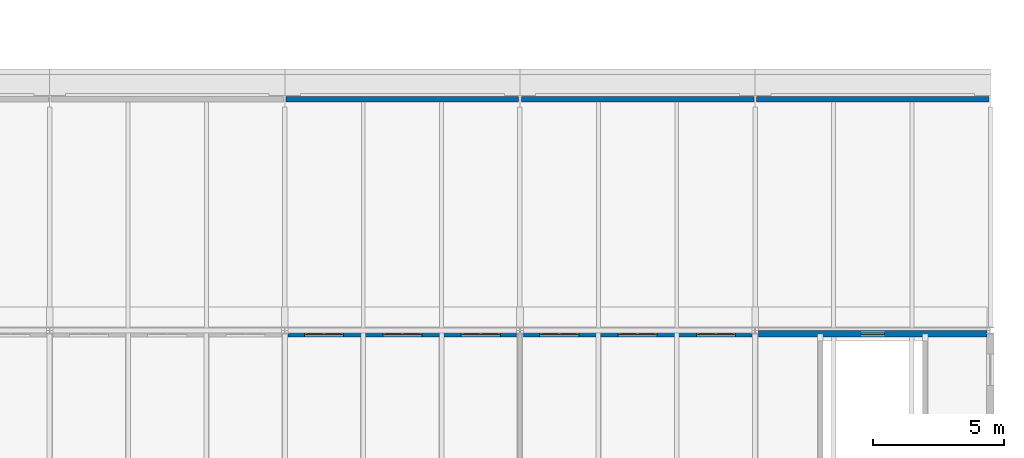
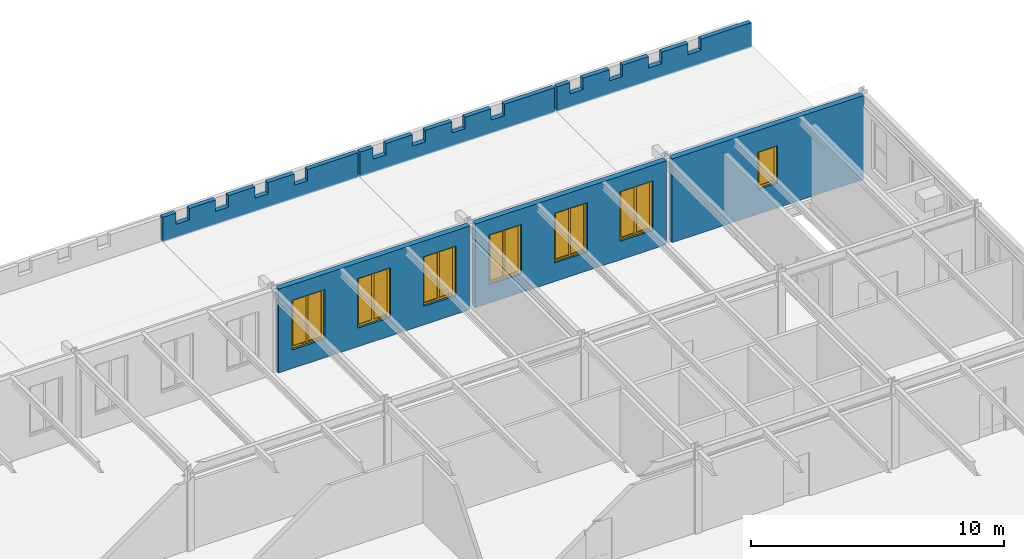
# One storey, part 85 of 123: 7 windows, 6 walls, 7 openings.
"""IFC4 building model written with IfcOpenShell, lengths in metres."""

from ifc_helpers import new_model, si_unit, direction, frame, frame_2d, origin, place, context, subcontext, project, spatial, polyline, rectangle, outline, extrude, material, layer, layer_set, type_object, element, fill, save


model = new_model("IFC4")

# Units and contexts
model_context = context("Model", 3, precision=1e-05, world=origin(), true_north=direction((0.0, 1.0)))
body_context = subcontext(model_context, "Body", "Model", "MODEL_VIEW")
ifc_project = project(units=[si_unit("LENGTHUNIT", "METRE"), si_unit("AREAUNIT", "SQUARE_METRE"), si_unit("VOLUMEUNIT", "CUBIC_METRE"), si_unit("PLANEANGLEUNIT", "RADIAN"), si_unit("MASSUNIT", "GRAM", prefix="KILO")], contexts=[model_context])

# Site, building, storey
site_placement = place(None, origin())
site = spatial("IfcSite", under=ifc_project, at=site_placement, CompositionType="ELEMENT")
building_placement = place(site_placement, origin())
building = spatial("IfcBuilding", under=site, at=building_placement, Name="Baradari Gate Terminus", CompositionType="ELEMENT")
storey_placement = place(building_placement, frame((0.0, 0.0, 7.5)))
storey = spatial("IfcBuildingStorey", under=building, at=storey_placement, Name="L01", CompositionType="ELEMENT", Elevation=7.5)

# Wall, openings, windows
ifc_material_1 = material(Name="Laterite masonry", Category="masonry")
ifc_layer_1 = layer(ifc_material_1, 0.25)
ifc_layer_set_1 = layer_set([ifc_layer_1], Name="Laterite masonry")
wall_type_1 = type_object("IfcWallType", Name="Laterite masonry wall WP-1 250", PredefinedType="SOLIDWALL", material=ifc_layer_set_1)
wall_1_placement = place(storey_placement, frame((216.128173828125, 107.87841796875, 0.0), z_axis=(0.0, 0.0, 1.0), x_axis=(1.0, 0.0, 0.0)))
wall_1 = element("IfcWall", 1, at=wall_1_placement, inside=storey, type_object=wall_type_1, Name="arcade gallery wall HN bay 25 L01", PredefinedType="SOLIDWALL", context=body_context, shape_type="SweptSolid", body=[
    extrude(rectangle(XDim=8.74365234375, YDim=0.25, at=frame_2d((4.371826171875, 0.0))), origin(), (0.0, 0.0, 1.0), 4.050048828125),
])
opening_1_placement = place(wall_1_placement, frame((0.621826171875, 0.0, 0.89990234375)))
opening_1 = element("IfcOpeningElement", 2, at=opening_1_placement, cuts=wall_1, Name="Opening W1", PredefinedType="OPENING", context=body_context, shape_type="SweptSolid", body=[
    extrude(rectangle(XDim=1.5, YDim=2.39990234375, at=frame_2d((0.75, 1.199951171875))), frame((0.0, 0.135009765625, 0.0), z_axis=(0.0, -1.0, 0.0), x_axis=(1.0, 0.0, 0.0)), (0.0, 0.0, 1.0), 0.27001953125),
])
opening_2_placement = place(wall_1_placement, frame((3.621826171875, 0.0, 0.89990234375)))
opening_2 = element("IfcOpeningElement", 3, at=opening_2_placement, cuts=wall_1, Name="Opening W1", PredefinedType="OPENING", context=body_context, shape_type="SweptSolid", body=[
    extrude(rectangle(XDim=1.5, YDim=2.39990234375, at=frame_2d((0.75, 1.199951171875))), frame((0.0, 0.135009765625, 0.0), z_axis=(0.0, -1.0, 0.0), x_axis=(1.0, 0.0, 0.0)), (0.0, 0.0, 1.0), 0.27001953125),
])
opening_3_placement = place(wall_1_placement, frame((6.621826171875, 0.0, 0.89990234375)))
opening_3 = element("IfcOpeningElement", 4, at=opening_3_placement, cuts=wall_1, Name="Opening W1", PredefinedType="OPENING", context=body_context, shape_type="SweptSolid", body=[
    extrude(rectangle(XDim=1.5, YDim=2.39990234375, at=frame_2d((0.75, 1.199951171875))), frame((0.0, 0.135009765625, 0.0), z_axis=(0.0, -1.0, 0.0), x_axis=(1.0, 0.0, 0.0)), (0.0, 0.0, 1.0), 0.27001953125),
])
ifc_material_2 = material(Name="Aluminium 6063-T6", Category="aluminium")
window_type_1 = type_object("IfcWindowType", Name="Punched window, 2-light W1 1500x2400", PartitioningType="DOUBLE_PANEL_VERTICAL", PredefinedType="WINDOW", material=ifc_material_2)
window_1_placement = place(opening_1_placement, origin())
window_1 = element("IfcWindow", 5, at=window_1_placement, inside=storey, type_object=window_type_1, Name="Window W1 HN/24", OverallHeight=2.4, OverallWidth=1.5, PartitioningType="DOUBLE_PANEL_VERTICAL", PredefinedType="WINDOW", context=body_context, shape_type="SweptSolid", body=[
    extrude(outline(polyline([(0.0, 0.0), (1.5, 0.0), (1.5, 2.39990234375), (0.0, 2.39990234375), (0.0, 0.0)]), holes=[polyline([(0.070068359375, 0.070068359375), (1.429931640625, 0.070068359375), (1.429931640625, 2.329833984375), (0.070068359375, 2.329833984375), (0.070068359375, 0.070068359375)])]), frame((0.0, 0.030029296875, 0.0), z_axis=(0.0, -1.0, 0.0), x_axis=(1.0, 0.0, 0.0)), (0.0, 0.0, 1.0), 0.06005859375),
    extrude(rectangle(XDim=0.0400390625, YDim=2.259765625, at=frame_2d((0.75, 1.199951171875))), frame((0.0, 0.02197265625, 0.0), z_axis=(0.0, -1.0, 0.0), x_axis=(1.0, 0.0, 0.0)), (0.0, 0.0, 1.0), 0.0439453125),
    extrude(outline(polyline([(0.070068359375, 0.070068359375), (0.72998046875, 0.070068359375), (0.72998046875, 2.329833984375), (0.070068359375, 2.329833984375), (0.070068359375, 0.070068359375)]), holes=[polyline([(0.10009765625, 0.10009765625), (0.699951171875, 0.10009765625), (0.699951171875, 2.2998046875), (0.10009765625, 2.2998046875), (0.10009765625, 0.10009765625)])]), frame((0.0, 0.0224609375, 0.0), z_axis=(0.0, -1.0, 0.0), x_axis=(1.0, 0.0, 0.0)), (0.0, 0.0, 1.0), 0.044921875),
    extrude(rectangle(XDim=0.599853515625, YDim=2.19970703125, at=frame_2d((0.39990234375, 1.199951171875))), frame((0.0, 0.006103515625, 0.0), z_axis=(0.0, -1.0, 0.0), x_axis=(1.0, 0.0, 0.0)), (0.0, 0.0, 1.0), 0.01220703125),
    extrude(outline(polyline([(0.77001953125, 0.070068359375), (1.429931640625, 0.070068359375), (1.429931640625, 2.329833984375), (0.77001953125, 2.329833984375), (0.77001953125, 0.070068359375)]), holes=[polyline([(0.800048828125, 0.10009765625), (1.39990234375, 0.10009765625), (1.39990234375, 2.2998046875), (0.800048828125, 2.2998046875), (0.800048828125, 0.10009765625)])]), frame((0.0, 0.0224609375, 0.0), z_axis=(0.0, -1.0, 0.0), x_axis=(1.0, 0.0, 0.0)), (0.0, 0.0, 1.0), 0.044921875),
    extrude(rectangle(XDim=0.599853515625, YDim=2.19970703125, at=frame_2d((1.10009765625, 1.199951171875))), frame((0.0, 0.006103515625, 0.0), z_axis=(0.0, -1.0, 0.0), x_axis=(1.0, 0.0, 0.0)), (0.0, 0.0, 1.0), 0.01220703125),
])
fill(opening_1, window_1)
window_2_placement = place(opening_2_placement, origin())
window_2 = element("IfcWindow", 6, at=window_2_placement, inside=storey, type_object=window_type_1, Name="Window W1 HN/24", OverallHeight=2.4, OverallWidth=1.5, PartitioningType="DOUBLE_PANEL_VERTICAL", PredefinedType="WINDOW", context=body_context, shape_type="SweptSolid", body=[
    extrude(outline(polyline([(0.0, 0.0), (1.5, 0.0), (1.5, 2.39990234375), (0.0, 2.39990234375), (0.0, 0.0)]), holes=[polyline([(0.070068359375, 0.070068359375), (1.429931640625, 0.070068359375), (1.429931640625, 2.329833984375), (0.070068359375, 2.329833984375), (0.070068359375, 0.070068359375)])]), frame((0.0, 0.030029296875, 0.0), z_axis=(0.0, -1.0, 0.0), x_axis=(1.0, 0.0, 0.0)), (0.0, 0.0, 1.0), 0.06005859375),
    extrude(rectangle(XDim=0.0400390625, YDim=2.259765625, at=frame_2d((0.75, 1.199951171875))), frame((0.0, 0.02197265625, 0.0), z_axis=(0.0, -1.0, 0.0), x_axis=(1.0, 0.0, 0.0)), (0.0, 0.0, 1.0), 0.0439453125),
    extrude(outline(polyline([(0.070068359375, 0.070068359375), (0.72998046875, 0.070068359375), (0.72998046875, 2.329833984375), (0.070068359375, 2.329833984375), (0.070068359375, 0.070068359375)]), holes=[polyline([(0.10009765625, 0.10009765625), (0.699951171875, 0.10009765625), (0.699951171875, 2.2998046875), (0.10009765625, 2.2998046875), (0.10009765625, 0.10009765625)])]), frame((0.0, 0.0224609375, 0.0), z_axis=(0.0, -1.0, 0.0), x_axis=(1.0, 0.0, 0.0)), (0.0, 0.0, 1.0), 0.044921875),
    extrude(rectangle(XDim=0.599853515625, YDim=2.19970703125, at=frame_2d((0.39990234375, 1.199951171875))), frame((0.0, 0.006103515625, 0.0), z_axis=(0.0, -1.0, 0.0), x_axis=(1.0, 0.0, 0.0)), (0.0, 0.0, 1.0), 0.01220703125),
    extrude(outline(polyline([(0.77001953125, 0.070068359375), (1.429931640625, 0.070068359375), (1.429931640625, 2.329833984375), (0.77001953125, 2.329833984375), (0.77001953125, 0.070068359375)]), holes=[polyline([(0.800048828125, 0.10009765625), (1.39990234375, 0.10009765625), (1.39990234375, 2.2998046875), (0.800048828125, 2.2998046875), (0.800048828125, 0.10009765625)])]), frame((0.0, 0.0224609375, 0.0), z_axis=(0.0, -1.0, 0.0), x_axis=(1.0, 0.0, 0.0)), (0.0, 0.0, 1.0), 0.044921875),
    extrude(rectangle(XDim=0.599853515625, YDim=2.19970703125, at=frame_2d((1.10009765625, 1.199951171875))), frame((0.0, 0.006103515625, 0.0), z_axis=(0.0, -1.0, 0.0), x_axis=(1.0, 0.0, 0.0)), (0.0, 0.0, 1.0), 0.01220703125),
])
fill(opening_2, window_2)
window_3_placement = place(opening_3_placement, origin())
window_3 = element("IfcWindow", 7, at=window_3_placement, inside=storey, type_object=window_type_1, Name="Window W1 HN/24", OverallHeight=2.4, OverallWidth=1.5, PartitioningType="DOUBLE_PANEL_VERTICAL", PredefinedType="WINDOW", context=body_context, shape_type="SweptSolid", body=[
    extrude(outline(polyline([(0.0, 0.0), (1.5, 0.0), (1.5, 2.39990234375), (0.0, 2.39990234375), (0.0, 0.0)]), holes=[polyline([(0.070068359375, 0.070068359375), (1.429931640625, 0.070068359375), (1.429931640625, 2.329833984375), (0.070068359375, 2.329833984375), (0.070068359375, 0.070068359375)])]), frame((0.0, 0.030029296875, 0.0), z_axis=(0.0, -1.0, 0.0), x_axis=(1.0, 0.0, 0.0)), (0.0, 0.0, 1.0), 0.06005859375),
    extrude(rectangle(XDim=0.0400390625, YDim=2.259765625, at=frame_2d((0.75, 1.199951171875))), frame((0.0, 0.02197265625, 0.0), z_axis=(0.0, -1.0, 0.0), x_axis=(1.0, 0.0, 0.0)), (0.0, 0.0, 1.0), 0.0439453125),
    extrude(outline(polyline([(0.070068359375, 0.070068359375), (0.72998046875, 0.070068359375), (0.72998046875, 2.329833984375), (0.070068359375, 2.329833984375), (0.070068359375, 0.070068359375)]), holes=[polyline([(0.10009765625, 0.10009765625), (0.699951171875, 0.10009765625), (0.699951171875, 2.2998046875), (0.10009765625, 2.2998046875), (0.10009765625, 0.10009765625)])]), frame((0.0, 0.0224609375, 0.0), z_axis=(0.0, -1.0, 0.0), x_axis=(1.0, 0.0, 0.0)), (0.0, 0.0, 1.0), 0.044921875),
    extrude(rectangle(XDim=0.599853515625, YDim=2.19970703125, at=frame_2d((0.39990234375, 1.199951171875))), frame((0.0, 0.006103515625, 0.0), z_axis=(0.0, -1.0, 0.0), x_axis=(1.0, 0.0, 0.0)), (0.0, 0.0, 1.0), 0.01220703125),
    extrude(outline(polyline([(0.77001953125, 0.070068359375), (1.429931640625, 0.070068359375), (1.429931640625, 2.329833984375), (0.77001953125, 2.329833984375), (0.77001953125, 0.070068359375)]), holes=[polyline([(0.800048828125, 0.10009765625), (1.39990234375, 0.10009765625), (1.39990234375, 2.2998046875), (0.800048828125, 2.2998046875), (0.800048828125, 0.10009765625)])]), frame((0.0, 0.0224609375, 0.0), z_axis=(0.0, -1.0, 0.0), x_axis=(1.0, 0.0, 0.0)), (0.0, 0.0, 1.0), 0.044921875),
    extrude(rectangle(XDim=0.599853515625, YDim=2.19970703125, at=frame_2d((1.10009765625, 1.199951171875))), frame((0.0, 0.006103515625, 0.0), z_axis=(0.0, -1.0, 0.0), x_axis=(1.0, 0.0, 0.0)), (0.0, 0.0, 1.0), 0.01220703125),
])
fill(opening_3, window_3)

wall_2_placement = place(storey_placement, frame((225.128173828125, 107.87841796875, 0.0), z_axis=(0.0, 0.0, 1.0), x_axis=(1.0, 0.0, 0.0)))
wall_2 = element("IfcWall", 8, at=wall_2_placement, inside=storey, type_object=wall_type_1, Name="arcade gallery wall HN bay 26 L01", PredefinedType="SOLIDWALL", context=body_context, shape_type="SweptSolid", body=[
    extrude(rectangle(XDim=8.74365234375, YDim=0.25, at=frame_2d((4.371826171875, 0.0))), origin(), (0.0, 0.0, 1.0), 4.050048828125),
])
opening_4_placement = place(wall_2_placement, frame((0.621826171875, 0.0, 0.89990234375)))
opening_4 = element("IfcOpeningElement", 9, at=opening_4_placement, cuts=wall_2, Name="Opening W1", PredefinedType="OPENING", context=body_context, shape_type="SweptSolid", body=[
    extrude(rectangle(XDim=1.5, YDim=2.39990234375, at=frame_2d((0.75, 1.199951171875))), frame((0.0, 0.135009765625, 0.0), z_axis=(0.0, -1.0, 0.0), x_axis=(1.0, 0.0, 0.0)), (0.0, 0.0, 1.0), 0.27001953125),
])
opening_5_placement = place(wall_2_placement, frame((3.621826171875, 0.0, 0.89990234375)))
opening_5 = element("IfcOpeningElement", 10, at=opening_5_placement, cuts=wall_2, Name="Opening W1", PredefinedType="OPENING", context=body_context, shape_type="SweptSolid", body=[
    extrude(rectangle(XDim=1.5, YDim=2.39990234375, at=frame_2d((0.75, 1.199951171875))), frame((0.0, 0.135009765625, 0.0), z_axis=(0.0, -1.0, 0.0), x_axis=(1.0, 0.0, 0.0)), (0.0, 0.0, 1.0), 0.27001953125),
])
opening_6_placement = place(wall_2_placement, frame((6.621826171875, 0.0, 0.89990234375)))
opening_6 = element("IfcOpeningElement", 11, at=opening_6_placement, cuts=wall_2, Name="Opening W1", PredefinedType="OPENING", context=body_context, shape_type="SweptSolid", body=[
    extrude(rectangle(XDim=1.5, YDim=2.39990234375, at=frame_2d((0.75, 1.199951171875))), frame((0.0, 0.135009765625, 0.0), z_axis=(0.0, -1.0, 0.0), x_axis=(1.0, 0.0, 0.0)), (0.0, 0.0, 1.0), 0.27001953125),
])
window_4_placement = place(opening_4_placement, origin())
window_4 = element("IfcWindow", 12, at=window_4_placement, inside=storey, type_object=window_type_1, Name="Window W1 HN/25", OverallHeight=2.4, OverallWidth=1.5, PartitioningType="DOUBLE_PANEL_VERTICAL", PredefinedType="WINDOW", context=body_context, shape_type="SweptSolid", body=[
    extrude(outline(polyline([(0.0, 0.0), (1.5, 0.0), (1.5, 2.39990234375), (0.0, 2.39990234375), (0.0, 0.0)]), holes=[polyline([(0.070068359375, 0.070068359375), (1.429931640625, 0.070068359375), (1.429931640625, 2.329833984375), (0.070068359375, 2.329833984375), (0.070068359375, 0.070068359375)])]), frame((0.0, 0.030029296875, 0.0), z_axis=(0.0, -1.0, 0.0), x_axis=(1.0, 0.0, 0.0)), (0.0, 0.0, 1.0), 0.06005859375),
    extrude(rectangle(XDim=0.0400390625, YDim=2.259765625, at=frame_2d((0.75, 1.199951171875))), frame((0.0, 0.02197265625, 0.0), z_axis=(0.0, -1.0, 0.0), x_axis=(1.0, 0.0, 0.0)), (0.0, 0.0, 1.0), 0.0439453125),
    extrude(outline(polyline([(0.070068359375, 0.070068359375), (0.72998046875, 0.070068359375), (0.72998046875, 2.329833984375), (0.070068359375, 2.329833984375), (0.070068359375, 0.070068359375)]), holes=[polyline([(0.10009765625, 0.10009765625), (0.699951171875, 0.10009765625), (0.699951171875, 2.2998046875), (0.10009765625, 2.2998046875), (0.10009765625, 0.10009765625)])]), frame((0.0, 0.0224609375, 0.0), z_axis=(0.0, -1.0, 0.0), x_axis=(1.0, 0.0, 0.0)), (0.0, 0.0, 1.0), 0.044921875),
    extrude(rectangle(XDim=0.599853515625, YDim=2.19970703125, at=frame_2d((0.39990234375, 1.199951171875))), frame((0.0, 0.006103515625, 0.0), z_axis=(0.0, -1.0, 0.0), x_axis=(1.0, 0.0, 0.0)), (0.0, 0.0, 1.0), 0.01220703125),
    extrude(outline(polyline([(0.77001953125, 0.070068359375), (1.429931640625, 0.070068359375), (1.429931640625, 2.329833984375), (0.77001953125, 2.329833984375), (0.77001953125, 0.070068359375)]), holes=[polyline([(0.800048828125, 0.10009765625), (1.39990234375, 0.10009765625), (1.39990234375, 2.2998046875), (0.800048828125, 2.2998046875), (0.800048828125, 0.10009765625)])]), frame((0.0, 0.0224609375, 0.0), z_axis=(0.0, -1.0, 0.0), x_axis=(1.0, 0.0, 0.0)), (0.0, 0.0, 1.0), 0.044921875),
    extrude(rectangle(XDim=0.599853515625, YDim=2.19970703125, at=frame_2d((1.10009765625, 1.199951171875))), frame((0.0, 0.006103515625, 0.0), z_axis=(0.0, -1.0, 0.0), x_axis=(1.0, 0.0, 0.0)), (0.0, 0.0, 1.0), 0.01220703125),
])
fill(opening_4, window_4)
window_5_placement = place(opening_5_placement, origin())
window_5 = element("IfcWindow", 13, at=window_5_placement, inside=storey, type_object=window_type_1, Name="Window W1 HN/25", OverallHeight=2.4, OverallWidth=1.5, PartitioningType="DOUBLE_PANEL_VERTICAL", PredefinedType="WINDOW", context=body_context, shape_type="SweptSolid", body=[
    extrude(outline(polyline([(0.0, 0.0), (1.5, 0.0), (1.5, 2.39990234375), (0.0, 2.39990234375), (0.0, 0.0)]), holes=[polyline([(0.070068359375, 0.070068359375), (1.429931640625, 0.070068359375), (1.429931640625, 2.329833984375), (0.070068359375, 2.329833984375), (0.070068359375, 0.070068359375)])]), frame((0.0, 0.030029296875, 0.0), z_axis=(0.0, -1.0, 0.0), x_axis=(1.0, 0.0, 0.0)), (0.0, 0.0, 1.0), 0.06005859375),
    extrude(rectangle(XDim=0.0400390625, YDim=2.259765625, at=frame_2d((0.75, 1.199951171875))), frame((0.0, 0.02197265625, 0.0), z_axis=(0.0, -1.0, 0.0), x_axis=(1.0, 0.0, 0.0)), (0.0, 0.0, 1.0), 0.0439453125),
    extrude(outline(polyline([(0.070068359375, 0.070068359375), (0.72998046875, 0.070068359375), (0.72998046875, 2.329833984375), (0.070068359375, 2.329833984375), (0.070068359375, 0.070068359375)]), holes=[polyline([(0.10009765625, 0.10009765625), (0.699951171875, 0.10009765625), (0.699951171875, 2.2998046875), (0.10009765625, 2.2998046875), (0.10009765625, 0.10009765625)])]), frame((0.0, 0.0224609375, 0.0), z_axis=(0.0, -1.0, 0.0), x_axis=(1.0, 0.0, 0.0)), (0.0, 0.0, 1.0), 0.044921875),
    extrude(rectangle(XDim=0.599853515625, YDim=2.19970703125, at=frame_2d((0.39990234375, 1.199951171875))), frame((0.0, 0.006103515625, 0.0), z_axis=(0.0, -1.0, 0.0), x_axis=(1.0, 0.0, 0.0)), (0.0, 0.0, 1.0), 0.01220703125),
    extrude(outline(polyline([(0.77001953125, 0.070068359375), (1.429931640625, 0.070068359375), (1.429931640625, 2.329833984375), (0.77001953125, 2.329833984375), (0.77001953125, 0.070068359375)]), holes=[polyline([(0.800048828125, 0.10009765625), (1.39990234375, 0.10009765625), (1.39990234375, 2.2998046875), (0.800048828125, 2.2998046875), (0.800048828125, 0.10009765625)])]), frame((0.0, 0.0224609375, 0.0), z_axis=(0.0, -1.0, 0.0), x_axis=(1.0, 0.0, 0.0)), (0.0, 0.0, 1.0), 0.044921875),
    extrude(rectangle(XDim=0.599853515625, YDim=2.19970703125, at=frame_2d((1.10009765625, 1.199951171875))), frame((0.0, 0.006103515625, 0.0), z_axis=(0.0, -1.0, 0.0), x_axis=(1.0, 0.0, 0.0)), (0.0, 0.0, 1.0), 0.01220703125),
])
fill(opening_5, window_5)
window_6_placement = place(opening_6_placement, origin())
window_6 = element("IfcWindow", 14, at=window_6_placement, inside=storey, type_object=window_type_1, Name="Window W1 HN/25", OverallHeight=2.4, OverallWidth=1.5, PartitioningType="DOUBLE_PANEL_VERTICAL", PredefinedType="WINDOW", context=body_context, shape_type="SweptSolid", body=[
    extrude(outline(polyline([(0.0, 0.0), (1.5, 0.0), (1.5, 2.39990234375), (0.0, 2.39990234375), (0.0, 0.0)]), holes=[polyline([(0.070068359375, 0.070068359375), (1.429931640625, 0.070068359375), (1.429931640625, 2.329833984375), (0.070068359375, 2.329833984375), (0.070068359375, 0.070068359375)])]), frame((0.0, 0.030029296875, 0.0), z_axis=(0.0, -1.0, 0.0), x_axis=(1.0, 0.0, 0.0)), (0.0, 0.0, 1.0), 0.06005859375),
    extrude(rectangle(XDim=0.0400390625, YDim=2.259765625, at=frame_2d((0.75, 1.199951171875))), frame((0.0, 0.02197265625, 0.0), z_axis=(0.0, -1.0, 0.0), x_axis=(1.0, 0.0, 0.0)), (0.0, 0.0, 1.0), 0.0439453125),
    extrude(outline(polyline([(0.070068359375, 0.070068359375), (0.72998046875, 0.070068359375), (0.72998046875, 2.329833984375), (0.070068359375, 2.329833984375), (0.070068359375, 0.070068359375)]), holes=[polyline([(0.10009765625, 0.10009765625), (0.699951171875, 0.10009765625), (0.699951171875, 2.2998046875), (0.10009765625, 2.2998046875), (0.10009765625, 0.10009765625)])]), frame((0.0, 0.0224609375, 0.0), z_axis=(0.0, -1.0, 0.0), x_axis=(1.0, 0.0, 0.0)), (0.0, 0.0, 1.0), 0.044921875),
    extrude(rectangle(XDim=0.599853515625, YDim=2.19970703125, at=frame_2d((0.39990234375, 1.199951171875))), frame((0.0, 0.006103515625, 0.0), z_axis=(0.0, -1.0, 0.0), x_axis=(1.0, 0.0, 0.0)), (0.0, 0.0, 1.0), 0.01220703125),
    extrude(outline(polyline([(0.77001953125, 0.070068359375), (1.429931640625, 0.070068359375), (1.429931640625, 2.329833984375), (0.77001953125, 2.329833984375), (0.77001953125, 0.070068359375)]), holes=[polyline([(0.800048828125, 0.10009765625), (1.39990234375, 0.10009765625), (1.39990234375, 2.2998046875), (0.800048828125, 2.2998046875), (0.800048828125, 0.10009765625)])]), frame((0.0, 0.0224609375, 0.0), z_axis=(0.0, -1.0, 0.0), x_axis=(1.0, 0.0, 0.0)), (0.0, 0.0, 1.0), 0.044921875),
    extrude(rectangle(XDim=0.599853515625, YDim=2.19970703125, at=frame_2d((1.10009765625, 1.199951171875))), frame((0.0, 0.006103515625, 0.0), z_axis=(0.0, -1.0, 0.0), x_axis=(1.0, 0.0, 0.0)), (0.0, 0.0, 1.0), 0.01220703125),
])
fill(opening_6, window_6)

# Wall, opening, window
wall_3_placement = place(storey_placement, frame((234.128173828125, 107.87841796875, 0.0), z_axis=(0.0, 0.0, 1.0), x_axis=(1.0, 0.0, 0.0)))
wall_3 = element("IfcWall", 15, at=wall_3_placement, inside=storey, type_object=wall_type_1, Name="arcade gallery wall HN bay 27 L01", PredefinedType="SOLIDWALL", context=body_context, shape_type="SweptSolid", body=[
    extrude(rectangle(XDim=8.74365234375, YDim=0.25, at=frame_2d((4.371826171875, 0.0))), origin(), (0.0, 0.0, 1.0), 4.050048828125),
])
opening_7_placement = place(wall_3_placement, frame((3.921875, 0.0, 1.199951171875)))
opening_7 = element("IfcOpeningElement", 16, at=opening_7_placement, cuts=wall_3, Name="Opening W6", PredefinedType="OPENING", context=body_context, shape_type="SweptSolid", body=[
    extrude(rectangle(XDim=0.89990234375, YDim=1.800048828125, at=frame_2d((0.449951171875, 0.89990234375))), frame((0.0, 0.135009765625, 0.0), z_axis=(0.0, -1.0, 0.0), x_axis=(1.0, 0.0, 0.0)), (0.0, 0.0, 1.0), 0.27001953125),
])
ifc_material_3 = material(Name="Aluminium 6063-T6", Category="aluminium")
window_type_2 = type_object("IfcWindowType", Name="Stair light W6 900x1800", PartitioningType="SINGLE_PANEL", PredefinedType="WINDOW", material=ifc_material_3)
window_7_placement = place(opening_7_placement, origin())
window_7 = element("IfcWindow", 17, at=window_7_placement, inside=storey, type_object=window_type_2, Name="Window W6 HN/26", OverallHeight=1.8, OverallWidth=0.9, PartitioningType="SINGLE_PANEL", PredefinedType="WINDOW", context=body_context, shape_type="SweptSolid", body=[
    extrude(outline(polyline([(0.0, 0.0), (0.89990234375, 0.0), (0.89990234375, 1.800048828125), (0.0, 1.800048828125), (0.0, 0.0)]), holes=[polyline([(0.070068359375, 0.070068359375), (0.829833984375, 0.070068359375), (0.829833984375, 1.72998046875), (0.070068359375, 1.72998046875), (0.070068359375, 0.070068359375)])]), frame((0.0, 0.030029296875, 0.0), z_axis=(0.0, -1.0, 0.0), x_axis=(1.0, 0.0, 0.0)), (0.0, 0.0, 1.0), 0.06005859375),
    extrude(outline(polyline([(0.070068359375, 0.070068359375), (0.829833984375, 0.070068359375), (0.829833984375, 1.72998046875), (0.070068359375, 1.72998046875), (0.070068359375, 0.070068359375)]), holes=[polyline([(0.10009765625, 0.10009765625), (0.7998046875, 0.10009765625), (0.7998046875, 1.699951171875), (0.10009765625, 1.699951171875), (0.10009765625, 0.10009765625)])]), frame((0.0, 0.0224609375, 0.0), z_axis=(0.0, -1.0, 0.0), x_axis=(1.0, 0.0, 0.0)), (0.0, 0.0, 1.0), 0.044921875),
    extrude(rectangle(XDim=0.69970703125, YDim=1.599853515625, at=frame_2d((0.449951171875, 0.89990234375))), frame((0.0, 0.006103515625, 0.0), z_axis=(0.0, -1.0, 0.0), x_axis=(1.0, 0.0, 0.0)), (0.0, 0.0, 1.0), 0.01220703125),
])
fill(opening_7, window_7)

# Walls
ifc_material_4 = material(Name="Laterite masonry", Category="masonry")
ifc_layer_2 = layer(ifc_material_4, 0.199951171875)
ifc_layer_set_2 = layer_set([ifc_layer_2], Name="Laterite masonry")
wall_type_2 = type_object("IfcWallType", Name="Parapet PW-4 200x1200 arcade", PredefinedType="PARAPET", material=ifc_layer_set_2)
for number, where, z_axis, x_axis, name in (
    (18, (216.050048828125, 116.85009765625, 0.89990234375), (0.0, 0.0, 1.0), (1.0, 0.0, 0.0), "Merlon parapet 2.6 1"),
    (19, (225.050048828125, 116.85009765625, 0.89990234375), (0.0, 0.0, 1.0), (1.0, 0.0, 0.0), "Merlon parapet 2.7 1"),
    (20, (234.050048828125, 116.85009765625, 0.89990234375), (0.0, 0.0, 1.0), (1.0, 0.0, 0.0), "Merlon parapet 2.8 1"),
):
    element("IfcWall", number, at=place(storey_placement, frame(where, z_axis=z_axis, x_axis=x_axis)), inside=storey, type_object=wall_type_2, Name=name, PredefinedType="PARAPET", context=body_context, shape_type="SweptSolid", body=[
        extrude(outline(polyline([(6.60009765625, 1.2001953125), (6.60009765625, 0.650146484375), (6.0, 0.650146484375), (6.0, 1.2001953125), (4.800048828125, 1.2001953125), (4.800048828125, 0.650146484375), (4.199951171875, 0.650146484375), (4.199951171875, 1.2001953125), (3.0, 1.2001953125), (3.0, 0.650146484375), (2.39990234375, 0.650146484375), (2.39990234375, 1.2001953125), (1.199951171875, 1.2001953125), (1.199951171875, 0.650146484375), (0.60009765625, 0.650146484375), (0.60009765625, 1.2001953125), (0.0, 1.2001953125), (0.0, 0.0), (8.89990234375, 0.0), (8.89990234375, 1.2001953125), (6.60009765625, 1.2001953125)])), frame((0.0, 0.10009765625, 0.0), z_axis=(0.0, -1.0, 0.0), x_axis=(1.0, 0.0, 0.0)), (0.0, 0.0, 1.0), 0.199951171875),
    ])

save(model, "model.ifc")
